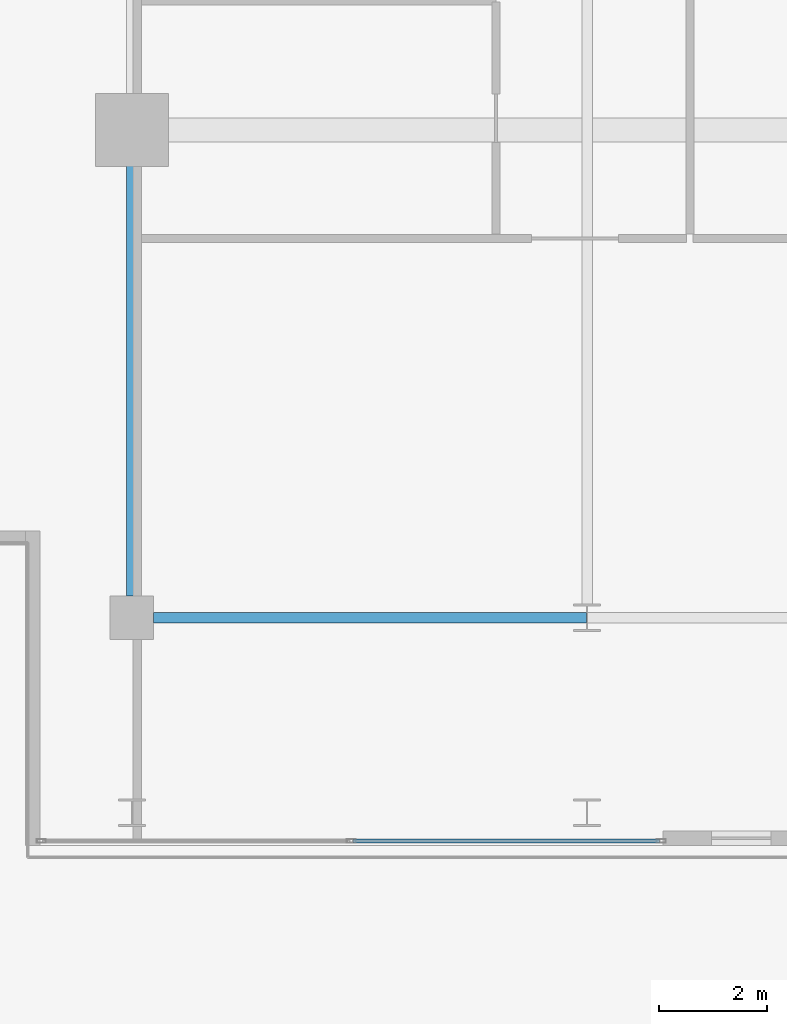
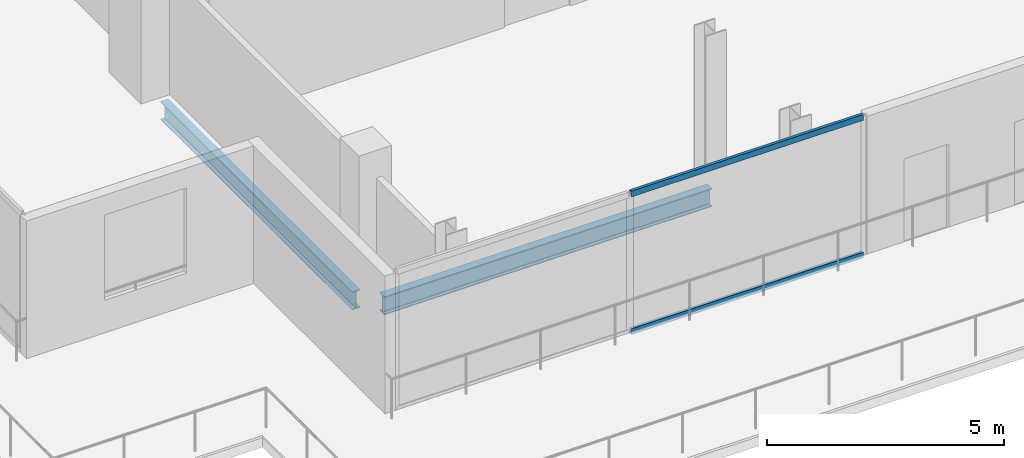
# One storey, part 4 of 21: 2 beams, 2 members, 1 element without a shape of its own.
"""IFC4 building model written with IfcOpenShell, lengths in metres."""

import ifcopenshell
import ifcopenshell.guid

model = None  # the IFC model being written
_history = None  # IfcOwnerHistory: only IFC2X3 demands one
_inside = {}  # id of a spatial element -> (the spatial element, [elements in it])
_under = {}  # id of a project, library or spatial element -> (it, [spatial elements below it])
_declared = {}  # id of a project -> (the project, [libraries it declares])
_typed = {}  # id of a type object -> (the type object, [elements of that type])
_made_of = {}  # id of a material, layer set ... -> (it, [elements and type objects made of it])


def new_model(schema):
    """Start an empty IFC model of exactly this schema.

    Asked for "IFC4X3", IfcOpenShell would pick the latest addendum, in which some entities
    have other attributes; the version numbers below select the first issue.
    IFC2X3 requires an IfcOwnerHistory on every rooted entity: one is made here for all.
    """
    global model, _history
    if schema == "IFC4X3":
        model = ifcopenshell.file(schema_version=(4, 3, 0, 0))
    else:
        model = ifcopenshell.file(schema=schema)
    _inside.clear()
    _under.clear()
    _declared.clear()
    _typed.clear()
    _made_of.clear()
    _history = None
    if model.schema == "IFC2X3":
        org = make("IfcOrganization", Name="unknown")
        user = make(
            "IfcPersonAndOrganization",
            ThePerson=make("IfcPerson", FamilyName="unknown"),
            TheOrganization=org,
        )
        app = make(
            "IfcApplication",
            ApplicationDeveloper=org,
            Version="unknown",
            ApplicationFullName="unknown",
            ApplicationIdentifier="unknown",
        )
        _history = make(
            "IfcOwnerHistory",
            OwningUser=user,
            OwningApplication=app,
            ChangeAction="ADDED",
            CreationDate=0,
        )
    return model


def make(cls, **values):
    """One entity of the class cls with the attributes given. An attribute that is None is left unset."""
    return model.create_entity(
        cls, **{name: value for name, value in values.items() if value is not None}
    )


def rooted(cls, **values):
    """An entity with a GlobalId (a new one), such as an element, a storey or a relation."""
    return make(cls, GlobalId=ifcopenshell.guid.new(), OwnerHistory=_history, **values)


def si_unit(unit_type, name, prefix=None):
    """IfcSIUnit, for example si_unit("LENGTHUNIT", "METRE", prefix="MILLI")."""
    return make("IfcSIUnit", UnitType=unit_type, Prefix=prefix, Name=name)


def assignment(units):
    """IfcUnitAssignment: the units of a project."""
    return None if units is None else make("IfcUnitAssignment", Units=units)


def point(xyz):
    """IfcCartesianPoint."""
    return None if xyz is None else make("IfcCartesianPoint", Coordinates=xyz)


def direction(xyz):
    """IfcDirection."""
    return None if xyz is None else make("IfcDirection", DirectionRatios=xyz)


def frame(location, z_axis=None, x_axis=None):
    """IfcAxis2Placement3D, a coordinate frame: its origin and axes. An axis left out is left unset."""
    return make(
        "IfcAxis2Placement3D",
        Location=point(location),
        Axis=direction(z_axis),
        RefDirection=direction(x_axis),
    )


def frame_2d(location, x_axis=None):
    """IfcAxis2Placement2D, a coordinate frame in the plane: its origin and x axis."""
    return make(
        "IfcAxis2Placement2D", Location=point(location), RefDirection=direction(x_axis)
    )


def origin():
    """The frame at (0, 0, 0) with its axes left unset."""
    return frame((0.0, 0.0, 0.0))


def origin_2d():
    """The frame at (0, 0) in the plane with its x axis left unset."""
    return frame_2d((0.0, 0.0))


def place(relative_to, where):
    """IfcLocalPlacement: puts the frame where relative to a parent placement (None: the world)."""
    return make(
        "IfcLocalPlacement", PlacementRelTo=relative_to, RelativePlacement=where
    )


def context(
    kind, dimensions, precision=None, world=None, true_north=None, identifier=None
):
    """IfcGeometricRepresentationContext, for example the 3D "Model" context."""
    return make(
        "IfcGeometricRepresentationContext",
        ContextIdentifier=identifier,
        ContextType=kind,
        CoordinateSpaceDimension=dimensions,
        Precision=precision,
        WorldCoordinateSystem=world,
        TrueNorth=true_north,
    )


def subcontext(parent, identifier, kind, view, scale=None):
    """IfcGeometricRepresentationSubContext, for example "Body" below "Model"."""
    return make(
        "IfcGeometricRepresentationSubContext",
        ContextIdentifier=identifier,
        ContextType=kind,
        ParentContext=parent,
        TargetScale=scale,
        TargetView=view,
    )


def project(units=None, contexts=None):
    """IfcProject with its units and contexts."""
    return rooted(
        "IfcProject",
        Name="project",
        RepresentationContexts=contexts,
        UnitsInContext=assignment(units),
    )


def spatial(cls, under=None, at=None, **own):
    """A site, building, storey or space (cls), placed at a placement, below another one or the project."""
    s = rooted(cls, ObjectPlacement=at, **own)
    if under is not None:
        _under.setdefault(under.id(), (under, []))[1].append(s)
    return s


def profile(cls, at=None, kind="AREA", **sizes):
    """A parametric profile (cls). Its sizes go by their IFC names, for example OverallWidth=200.0."""
    return make(cls, ProfileType=kind, Position=at, **sizes)


def hollow_rectangle(**sizes):
    """IfcRectangleHollowProfileDef."""
    return profile("IfcRectangleHollowProfileDef", **sizes)


def i_section(**sizes):
    """IfcIShapeProfileDef."""
    return profile("IfcIShapeProfileDef", **sizes)


def extrude(swept, where, along, depth):
    """IfcExtrudedAreaSolid: the profile swept, set in the frame where, extruded along a direction by depth."""
    return make(
        "IfcExtrudedAreaSolid",
        SweptArea=swept,
        Position=where,
        ExtrudedDirection=direction(along),
        Depth=depth,
    )


def shape(context_of_items, identifier, shape_type, items):
    """IfcShapeRepresentation: the items that make up one representation, for example the "Body"."""
    return make(
        "IfcShapeRepresentation",
        ContextOfItems=context_of_items,
        RepresentationIdentifier=identifier,
        RepresentationType=shape_type,
        Items=items,
    )


def material(Name=None, Category=None):
    """IfcMaterial."""
    return make("IfcMaterial", Name=Name, Category=Category)


def layer(
    of_material, thickness, ventilated=None, Name=None, Category=None, Priority=None
):
    """IfcMaterialLayer: one layer of a wall or slab, of a material (None: an air gap)."""
    return make(
        "IfcMaterialLayer",
        Material=of_material,
        LayerThickness=thickness,
        IsVentilated=ventilated,
        Name=Name,
        Category=Category,
        Priority=Priority,
    )


def layer_set(layers, Name=None):
    """IfcMaterialLayerSet."""
    return make("IfcMaterialLayerSet", MaterialLayers=layers, LayerSetName=Name)


def material_profile(
    of_material, cross_section, Name=None, Category=None, Priority=None
):
    """IfcMaterialProfile: a cross section and its material."""
    return make(
        "IfcMaterialProfile",
        Name=Name,
        Material=of_material,
        Profile=cross_section,
        Priority=Priority,
        Category=Category,
    )


def profile_set(profiles, Name=None, composite=None):
    """IfcMaterialProfileSet."""
    return make(
        "IfcMaterialProfileSet",
        Name=Name,
        MaterialProfiles=profiles,
        CompositeProfile=composite,
    )


def made_of(thing, what):
    """Note that an element or type object is made of a material, layer set ...; save() writes the relation."""
    if what is not None:
        _made_of.setdefault(what.id(), (what, []))[1].append(thing)
    return thing


def type_object(cls, material=None, **own):
    """A type object (cls), such as IfcWallType, which elements share."""
    return made_of(rooted(cls, **own), material)


def element(
    cls,
    number,
    at=None,
    inside=None,
    cuts=None,
    type_object=None,
    material=None,
    context=None,
    identifier="Body",
    shape_type=None,
    held_by="IfcProductDefinitionShape",
    body=None,
    shapes=None,
    **own,
):
    """One element of the class cls, such as IfcWall. Its Tag is "e" and its number.

    at: its placement. inside: the storey or other place that contains it. cuts: it is an
    opening in that element (IfcRelVoidsElement). A single representation is given by context,
    identifier, shape_type and body (its items); several are given by shapes. held_by: the class
    of the entity that holds the representations. save() writes the other relations.
    """
    e = rooted(cls, Tag="e%d" % number, ObjectPlacement=at, **own)
    if body is not None:
        shapes = [shape(context, identifier, shape_type, body)]
    if shapes is not None:
        e.Representation = make(held_by, Representations=shapes)
    if inside is not None:
        _inside.setdefault(inside.id(), (inside, []))[1].append(e)
    if cuts is not None:
        rooted(
            "IfcRelVoidsElement", RelatingBuildingElement=cuts, RelatedOpeningElement=e
        )
    if type_object is not None:
        _typed.setdefault(type_object.id(), (type_object, []))[1].append(e)
    return made_of(e, material)


def aggregate(whole, parts):
    """IfcRelAggregates: a whole, such as a stair, and the parts it consists of."""
    return rooted("IfcRelAggregates", RelatingObject=whole, RelatedObjects=parts)


def save(model, path):
    """Write the relations noted so far, then the file.

    IfcRelAggregates (storeys below a building ...), IfcRelContainedInSpatialStructure (elements
    in a storey), IfcRelDefinesByType, IfcRelAssociatesMaterial and IfcRelDeclares: one each for
    every whole, place, type object, material and project.
    """
    for whole, parts in _under.values():
        aggregate(whole, parts)
    for where, things in _inside.values():
        rooted(
            "IfcRelContainedInSpatialStructure",
            RelatedElements=things,
            RelatingStructure=where,
        )
    for kind, things in _typed.values():
        rooted("IfcRelDefinesByType", RelatedObjects=things, RelatingType=kind)
    for what, things in _made_of.values():
        rooted("IfcRelAssociatesMaterial", RelatedObjects=things, RelatingMaterial=what)
    for by, libraries in _declared.values():
        rooted("IfcRelDeclares", RelatingContext=by, RelatedDefinitions=libraries)
    model.write(path)


model = new_model("IFC4")

# Units and contexts
model_context = context("Model", 3, precision=1e-05, world=origin(), true_north=direction((0.0, 1.0)))
body_context = subcontext(model_context, "Body", "Model", "MODEL_VIEW")
ifc_project = project(units=[si_unit("LENGTHUNIT", "METRE"), si_unit("AREAUNIT", "SQUARE_METRE"), si_unit("VOLUMEUNIT", "CUBIC_METRE"), si_unit("PLANEANGLEUNIT", "RADIAN"), si_unit("MASSUNIT", "GRAM", prefix="KILO")], contexts=[model_context])

# Site, building, storey
site_placement = place(None, origin())
site = spatial("IfcSite", under=ifc_project, at=site_placement, CompositionType="ELEMENT")
building_placement = place(site_placement, origin())
building = spatial("IfcBuilding", under=site, at=building_placement, Name="Maruvema Waterfront Hotel and Observation Tower", CompositionType="ELEMENT")
storey_placement = place(building_placement, frame((0.0, 0.0, 322.0)))
storey = spatial("IfcBuildingStorey", under=building, at=storey_placement, Name="L79", CompositionType="ELEMENT", Elevation=322.0)

# Curtain wall, members
ifc_material_1 = material(Name="Anodised bronze aluminium and solar-control low-E IGU", Category="aluminium")
ifc_layer = layer(ifc_material_1, 0.159912109375, Name="Zone 4 Sky Residence Inner Curtain Wall System CW-05")
ifc_layer_set = layer_set([ifc_layer], Name="Anodised bronze aluminium and solar-control low-E IGU")
curtain_wall_type = type_object("IfcCurtainWallType", Name="Zone 4 Sky Residence Inner Curtain Wall System CW-05", PredefinedType="USERDEFINED", material=ifc_layer_set)
curtain_wall_placement = place(storey_placement, origin())
curtain_wall = element("IfcCurtainWall", 1, at=curtain_wall_placement, inside=storey, type_object=curtain_wall_type, Name="L79 Curtain Wall CW-L79-SW", ObjectType="UNITISED CURTAIN WALL", PredefinedType="USERDEFINED")
ifc_material_2 = material(Name="Anodised architectural bronze aluminium", Category="aluminium")
ifc_material_profile_1 = material_profile(ifc_material_2, hollow_rectangle(XDim=0.070068359375, YDim=0.14990234375, WallThickness=0.00390625, at=origin_2d()), Name="ALU-T70x150")
ifc_profile_set_1 = profile_set([ifc_material_profile_1], Name="Anodised architectural bronze aluminium")
member_type = type_object("IfcMemberType", Name="Curtain Wall Horizontal Transom ALU-T70x150", PredefinedType="USERDEFINED", material=ifc_profile_set_1)
member_1_placement = place(storey_placement, frame((29.280029296875, 13.8798828125, 0.030029296875), z_axis=(1.0, 0.0, 0.0), x_axis=(0.0, 1.0, 0.0)))
member_1 = element("IfcMember", 2, at=member_1_placement, type_object=member_type, Name="CW-05 transom 2.1", ObjectType="TRANSOM", PredefinedType="USERDEFINED", context=body_context, shape_type="SweptSolid", body=[
    extrude(hollow_rectangle(XDim=0.070068359375, YDim=0.14990234375, WallThickness=0.00390625, at=origin_2d()), origin(), (0.0, 0.0, 1.0), 5.659912109375),
])
member_2_placement = place(storey_placement, frame((29.280029296875, 13.8798828125, 3.580078125), z_axis=(1.0, 0.0, 0.0), x_axis=(0.0, 1.0, 0.0)))
member_2 = element("IfcMember", 3, at=member_2_placement, type_object=member_type, Name="CW-05 transom 2.2", ObjectType="TRANSOM", PredefinedType="USERDEFINED", context=body_context, shape_type="SweptSolid", body=[
    extrude(hollow_rectangle(XDim=0.070068359375, YDim=0.14990234375, WallThickness=0.00390625, at=origin_2d()), origin(), (0.0, 0.0, 1.0), 5.659912109375),
])
aggregate(curtain_wall, [member_1, member_2])

# Beams
ifc_material_3 = material(Name="Steel ASTM A572 Grade 50", Category="steel")
ifc_material_profile_2 = material_profile(ifc_material_3, i_section(OverallWidth=0.194091796875, OverallDepth=0.468994140625, WebThickness=0.0126953125, FlangeThickness=0.0205078125, FilletRadius=0.014892578125, at=origin_2d()), Name="W460x106.0")
ifc_profile_set_2 = profile_set([ifc_material_profile_2], Name="Steel ASTM A572 Grade 50")
beam_type = type_object("IfcBeamType", Name="Primary Floor Girder W460x106.0", PredefinedType="BEAM", material=ifc_profile_set_2)
beam_1_placement = place(storey_placement, frame((25.60009765625, 18.0, -0.474609375), z_axis=(1.0, 0.0, 0.0), x_axis=(0.0, 1.0, 0.0)))
element("IfcBeam", 4, at=beam_1_placement, inside=storey, type_object=beam_type, Name="L79 Floor Girder EW-01", PredefinedType="BEAM", context=body_context, shape_type="SweptSolid", body=[
    extrude(i_section(OverallWidth=0.194091796875, OverallDepth=0.468994140625, WebThickness=0.0126953125, FlangeThickness=0.0205078125, FilletRadius=0.014892578125, at=origin_2d()), origin(), (0.0, 0.0, 1.0), 7.989013671875),
])
beam_2_placement = place(storey_placement, frame((25.199951171875, 18.39990234375, -0.474609375), z_axis=(0.0, 1.0, 0.0), x_axis=(-1.0, 0.0, 0.0)))
element("IfcBeam", 5, at=beam_2_placement, inside=storey, type_object=beam_type, Name="L79 Floor Girder NS-01", PredefinedType="BEAM", context=body_context, shape_type="SweptSolid", body=[
    extrude(i_section(OverallWidth=0.194091796875, OverallDepth=0.468994140625, WebThickness=0.0126953125, FlangeThickness=0.0205078125, FilletRadius=0.014892578125, at=origin_2d()), origin(), (0.0, 0.0, 1.0), 8.10009765625),
])

save(model, "model.ifc")
